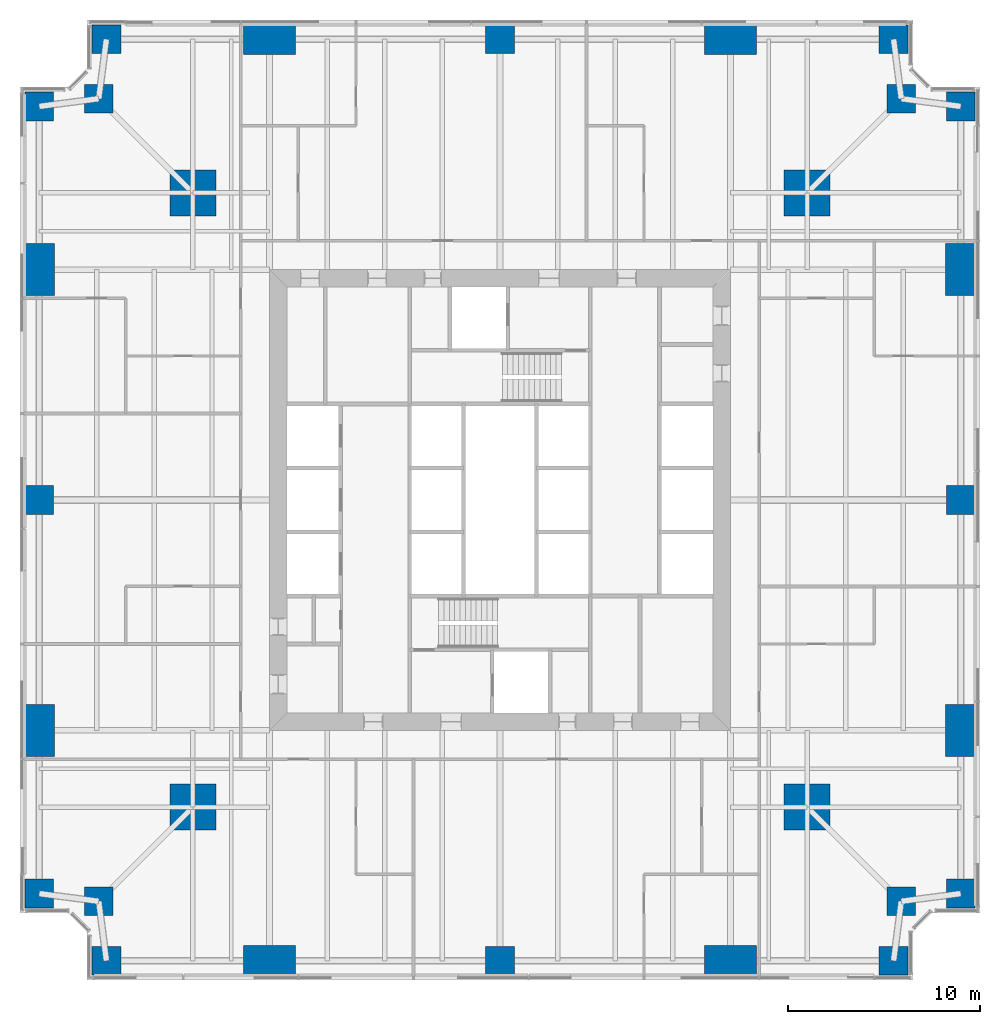
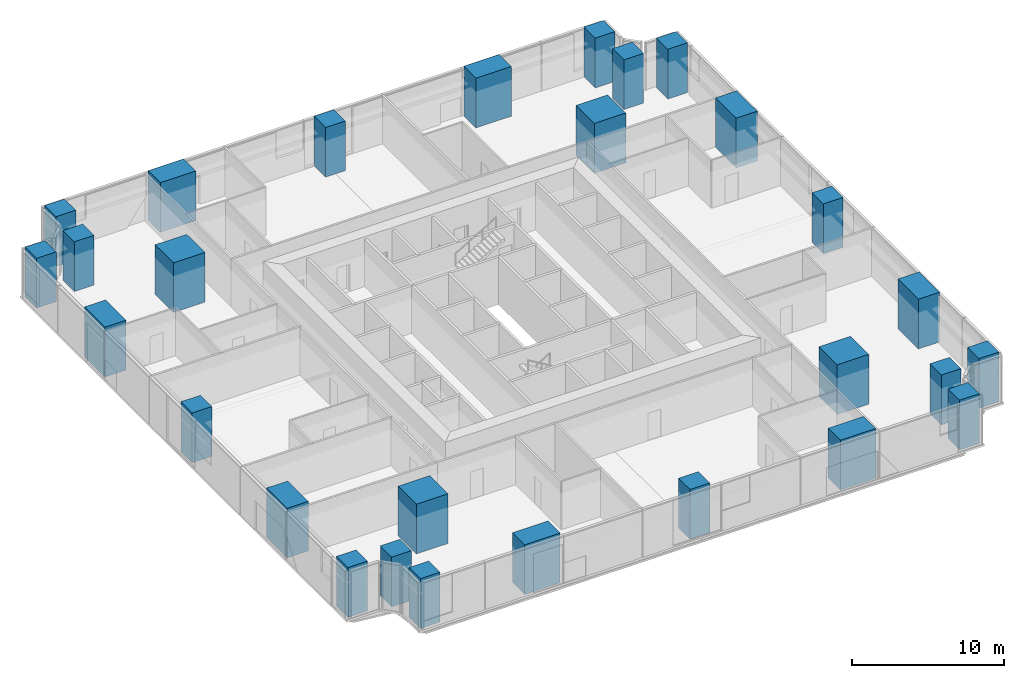
# One storey, part 1 of 13: 28 columns.
"""IFC4 building model written with IfcOpenShell, lengths in metres."""

from ifc_helpers import new_model, si_unit, direction, frame, origin, origin_2d, place, context, subcontext, project, spatial, rectangle, extrude, material, material_profile, profile_set, type_object, element, save


model = new_model("IFC4")

# Units and contexts
model_context = context("Model", 3, precision=1e-05, world=origin(), true_north=direction((0.0, 1.0)))
body_context = subcontext(model_context, "Body", "Model", "MODEL_VIEW")
ifc_project = project(units=[si_unit("LENGTHUNIT", "METRE"), si_unit("AREAUNIT", "SQUARE_METRE"), si_unit("VOLUMEUNIT", "CUBIC_METRE"), si_unit("PLANEANGLEUNIT", "RADIAN"), si_unit("MASSUNIT", "GRAM", prefix="KILO")], contexts=[model_context])

# Site, building, storey
site_placement = place(None, origin())
site = spatial("IfcSite", under=ifc_project, at=site_placement, CompositionType="ELEMENT")
building_placement = place(site_placement, origin())
building = spatial("IfcBuilding", under=site, at=building_placement, Name="Fenwick Lantern Interchange", CompositionType="ELEMENT")
storey_placement = place(building_placement, frame((0.0, 0.0, 47.0)))
storey = spatial("IfcBuildingStorey", under=building, at=storey_placement, Name="L10", CompositionType="ELEMENT", Elevation=47.0)

# Columns
ifc_material = material(Name="Concrete f'c 70 MPa", Category="concrete")
ifc_material_profile_1 = material_profile(ifc_material, rectangle(XDim=2.39990234375, YDim=2.39990234375, at=origin_2d()), Name="RC2400X2400")
ifc_profile_set_1 = profile_set([ifc_material_profile_1], Name="Concrete f'c 70 MPa")
column_type_1 = type_object("IfcColumnType", Name="MEGA COLUMN RC2400X2400", PredefinedType="COLUMN", material=ifc_profile_set_1)
for number, where, z_axis, x_axis, name in (
    (1, (9.0, 9.0, 0.0), (0.0, 0.0, 1.0), (1.0, 0.0, 0.0), "L10/M1"),
    (2, (41.0, 9.0, 0.0), (0.0, 0.0, 1.0), (1.0, 0.0, 0.0), "L10/M2"),
    (3, (41.0, 41.0, 0.0), (0.0, 0.0, 1.0), (1.0, 0.0, 0.0), "L10/M3"),
    (4, (9.0, 41.0, 0.0), (0.0, 0.0, 1.0), (1.0, 0.0, 0.0), "L10/M4"),
):
    element("IfcColumn", number, at=place(storey_placement, frame(where, z_axis=z_axis, x_axis=x_axis)), inside=storey, type_object=column_type_1, Name=name, PredefinedType="COLUMN", context=body_context, shape_type="SweptSolid", body=[
        extrude(rectangle(XDim=2.39990234375, YDim=2.39990234375, at=origin_2d()), origin(), (0.0, 0.0, 1.0), 4.0),
    ])
ifc_material_profile_2 = material_profile(ifc_material, rectangle(XDim=1.5, YDim=1.5, at=origin_2d()), Name="RC1500X1500")
ifc_profile_set_2 = profile_set([ifc_material_profile_2], Name="Concrete f'c 70 MPa")
column_type_2 = type_object("IfcColumnType", Name="PERIMETER COLUMN RC1500X1500", PredefinedType="COLUMN", material=ifc_profile_set_2)
for number, where, z_axis, x_axis, name in (
    (5, (4.5, 1.0, 0.0), (0.0, 0.0, 1.0), (1.0, 0.0, 0.0), "L10/CS1"),
    (6, (25.0, 1.0, 0.0), (0.0, 0.0, 1.0), (1.0, 0.0, 0.0), "L10/CS3"),
    (7, (45.5, 1.0, 0.0), (0.0, 0.0, 1.0), (1.0, 0.0, 0.0), "L10/CS5"),
    (8, (45.89990234375, 4.10009765625, 0.0), (0.0, 0.0, 1.0), (1.0, 0.0, 0.0), "L10/CSR"),
    (9, (49.0, 4.5, 0.0), (0.0, 0.0, 1.0), (1.0, 0.0, 0.0), "L10/CE1"),
    (10, (49.0, 25.0, 0.0), (0.0, 0.0, 1.0), (1.0, 0.0, 0.0), "L10/CE3"),
    (11, (49.0, 45.5, 0.0), (0.0, 0.0, 1.0), (1.0, 0.0, 0.0), "L10/CE5"),
    (12, (45.89990234375, 45.89990234375, 0.0), (0.0, 0.0, 1.0), (1.0, 0.0, 0.0), "L10/CER"),
    (13, (45.5, 49.0, 0.0), (0.0, 0.0, 1.0), (1.0, 0.0, 0.0), "L10/CN1"),
    (14, (25.0, 49.0, 0.0), (0.0, 0.0, 1.0), (1.0, 0.0, 0.0), "L10/CN3"),
    (15, (4.5, 49.0, 0.0), (0.0, 0.0, 1.0), (1.0, 0.0, 0.0), "L10/CN5"),
    (16, (4.10009765625, 45.89990234375, 0.0), (0.0, 0.0, 1.0), (1.0, 0.0, 0.0), "L10/CNR"),
    (17, (1.0, 45.5, 0.0), (0.0, 0.0, 1.0), (1.0, 0.0, 0.0), "L10/CW1"),
    (18, (1.0, 25.0, 0.0), (0.0, 0.0, 1.0), (1.0, 0.0, 0.0), "L10/CW3"),
    (19, (1.0, 4.5, 0.0), (0.0, 0.0, 1.0), (1.0, 0.0, 0.0), "L10/CW5"),
    (20, (4.10009765625, 4.10009765625, 0.0), (0.0, 0.0, 1.0), (1.0, 0.0, 0.0), "L10/CWR"),
):
    element("IfcColumn", number, at=place(storey_placement, frame(where, z_axis=z_axis, x_axis=x_axis)), inside=storey, type_object=column_type_2, Name=name, PredefinedType="COLUMN", context=body_context, shape_type="SweptSolid", body=[
        extrude(rectangle(XDim=1.5, YDim=1.5, at=origin_2d()), origin(), (0.0, 0.0, 1.0), 4.0),
    ])
ifc_material_profile_3 = material_profile(ifc_material, rectangle(XDim=1.60009765625, YDim=2.699951171875, at=origin_2d()), Name="RC1600X2700")
ifc_profile_set_3 = profile_set([ifc_material_profile_3], Name="Concrete f'c 70 MPa")
column_type_3 = type_object("IfcColumnType", Name="PERIMETER COLUMN RC1600X2700", PredefinedType="COLUMN", material=ifc_profile_set_3)
for number, where, z_axis, x_axis, name in (
    (21, (49.0, 13.0, 0.0), (0.0, 0.0, 1.0), (1.0, 0.0, 0.0), "L10/CE2"),
    (22, (49.0, 37.0, 0.0), (0.0, 0.0, 1.0), (1.0, 0.0, 0.0), "L10/CE4"),
    (23, (1.0, 37.0, 0.0), (0.0, 0.0, 1.0), (1.0, 0.0, 0.0), "L10/CW2"),
    (24, (1.0, 13.0, 0.0), (0.0, 0.0, 1.0), (1.0, 0.0, 0.0), "L10/CW4"),
):
    element("IfcColumn", number, at=place(storey_placement, frame(where, z_axis=z_axis, x_axis=x_axis)), inside=storey, type_object=column_type_3, Name=name, PredefinedType="COLUMN", context=body_context, shape_type="SweptSolid", body=[
        extrude(rectangle(XDim=1.60009765625, YDim=2.699951171875, at=origin_2d()), origin(), (0.0, 0.0, 1.0), 4.0),
    ])
ifc_material_profile_4 = material_profile(ifc_material, rectangle(XDim=2.699951171875, YDim=1.60009765625, at=origin_2d()), Name="RC2700X1600")
ifc_profile_set_4 = profile_set([ifc_material_profile_4], Name="Concrete f'c 70 MPa")
column_type_4 = type_object("IfcColumnType", Name="PERIMETER COLUMN RC2700X1600", PredefinedType="COLUMN", material=ifc_profile_set_4)
for number, where, z_axis, x_axis, name in (
    (25, (13.0, 1.0, 0.0), (0.0, 0.0, 1.0), (1.0, 0.0, 0.0), "L10/CS2"),
    (26, (37.0, 1.0, 0.0), (0.0, 0.0, 1.0), (1.0, 0.0, 0.0), "L10/CS4"),
    (27, (37.0, 49.0, 0.0), (0.0, 0.0, 1.0), (1.0, 0.0, 0.0), "L10/CN2"),
    (28, (13.0, 49.0, 0.0), (0.0, 0.0, 1.0), (1.0, 0.0, 0.0), "L10/CN4"),
):
    element("IfcColumn", number, at=place(storey_placement, frame(where, z_axis=z_axis, x_axis=x_axis)), inside=storey, type_object=column_type_4, Name=name, PredefinedType="COLUMN", context=body_context, shape_type="SweptSolid", body=[
        extrude(rectangle(XDim=2.699951171875, YDim=1.60009765625, at=origin_2d()), origin(), (0.0, 0.0, 1.0), 4.0),
    ])

save(model, "model.ifc")
